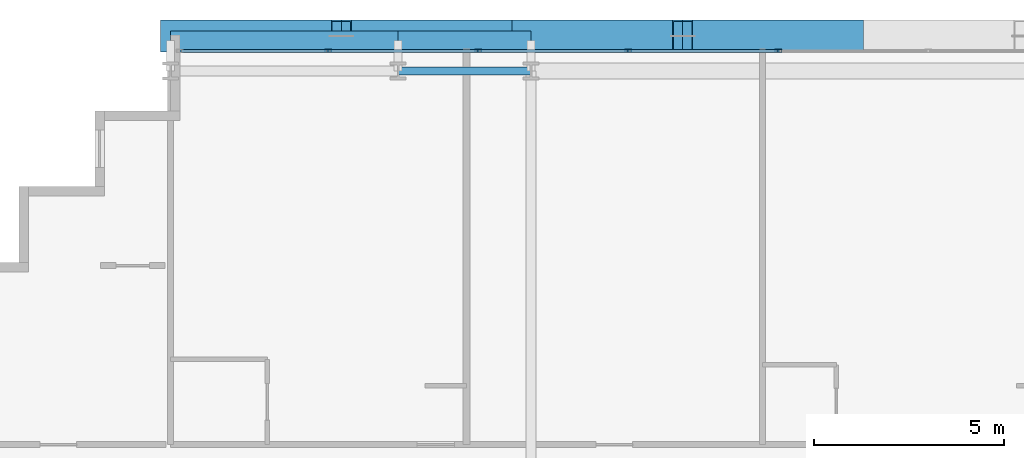
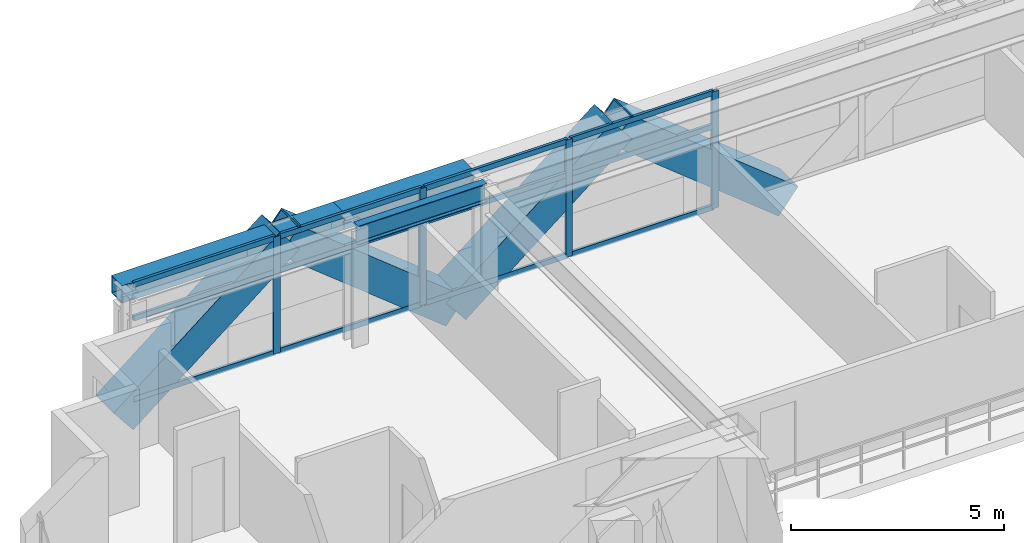
# One storey, part 18 of 35: 20 members, 3 beams, 1 element without a shape of its own.
"""IFC4 building model written with IfcOpenShell, lengths in metres."""

import ifcopenshell
import ifcopenshell.guid

model = None  # the IFC model being written
_history = None  # IfcOwnerHistory: only IFC2X3 demands one
_inside = {}  # id of a spatial element -> (the spatial element, [elements in it])
_under = {}  # id of a project, library or spatial element -> (it, [spatial elements below it])
_declared = {}  # id of a project -> (the project, [libraries it declares])
_typed = {}  # id of a type object -> (the type object, [elements of that type])
_made_of = {}  # id of a material, layer set ... -> (it, [elements and type objects made of it])


def new_model(schema):
    """Start an empty IFC model of exactly this schema.

    Asked for "IFC4X3", IfcOpenShell would pick the latest addendum, in which some entities
    have other attributes; the version numbers below select the first issue.
    IFC2X3 requires an IfcOwnerHistory on every rooted entity: one is made here for all.
    """
    global model, _history
    if schema == "IFC4X3":
        model = ifcopenshell.file(schema_version=(4, 3, 0, 0))
    else:
        model = ifcopenshell.file(schema=schema)
    _inside.clear()
    _under.clear()
    _declared.clear()
    _typed.clear()
    _made_of.clear()
    _history = None
    if model.schema == "IFC2X3":
        org = make("IfcOrganization", Name="unknown")
        user = make(
            "IfcPersonAndOrganization",
            ThePerson=make("IfcPerson", FamilyName="unknown"),
            TheOrganization=org,
        )
        app = make(
            "IfcApplication",
            ApplicationDeveloper=org,
            Version="unknown",
            ApplicationFullName="unknown",
            ApplicationIdentifier="unknown",
        )
        _history = make(
            "IfcOwnerHistory",
            OwningUser=user,
            OwningApplication=app,
            ChangeAction="ADDED",
            CreationDate=0,
        )
    return model


def make(cls, **values):
    """One entity of the class cls with the attributes given. An attribute that is None is left unset."""
    return model.create_entity(
        cls, **{name: value for name, value in values.items() if value is not None}
    )


def rooted(cls, **values):
    """An entity with a GlobalId (a new one), such as an element, a storey or a relation."""
    return make(cls, GlobalId=ifcopenshell.guid.new(), OwnerHistory=_history, **values)


def si_unit(unit_type, name, prefix=None):
    """IfcSIUnit, for example si_unit("LENGTHUNIT", "METRE", prefix="MILLI")."""
    return make("IfcSIUnit", UnitType=unit_type, Prefix=prefix, Name=name)


def assignment(units):
    """IfcUnitAssignment: the units of a project."""
    return None if units is None else make("IfcUnitAssignment", Units=units)


def point(xyz):
    """IfcCartesianPoint."""
    return None if xyz is None else make("IfcCartesianPoint", Coordinates=xyz)


def direction(xyz):
    """IfcDirection."""
    return None if xyz is None else make("IfcDirection", DirectionRatios=xyz)


def frame(location, z_axis=None, x_axis=None):
    """IfcAxis2Placement3D, a coordinate frame: its origin and axes. An axis left out is left unset."""
    return make(
        "IfcAxis2Placement3D",
        Location=point(location),
        Axis=direction(z_axis),
        RefDirection=direction(x_axis),
    )


def frame_2d(location, x_axis=None):
    """IfcAxis2Placement2D, a coordinate frame in the plane: its origin and x axis."""
    return make(
        "IfcAxis2Placement2D", Location=point(location), RefDirection=direction(x_axis)
    )


def origin():
    """The frame at (0, 0, 0) with its axes left unset."""
    return frame((0.0, 0.0, 0.0))


def origin_2d():
    """The frame at (0, 0) in the plane with its x axis left unset."""
    return frame_2d((0.0, 0.0))


def place(relative_to, where):
    """IfcLocalPlacement: puts the frame where relative to a parent placement (None: the world)."""
    return make(
        "IfcLocalPlacement", PlacementRelTo=relative_to, RelativePlacement=where
    )


def context(
    kind, dimensions, precision=None, world=None, true_north=None, identifier=None
):
    """IfcGeometricRepresentationContext, for example the 3D "Model" context."""
    return make(
        "IfcGeometricRepresentationContext",
        ContextIdentifier=identifier,
        ContextType=kind,
        CoordinateSpaceDimension=dimensions,
        Precision=precision,
        WorldCoordinateSystem=world,
        TrueNorth=true_north,
    )


def subcontext(parent, identifier, kind, view, scale=None):
    """IfcGeometricRepresentationSubContext, for example "Body" below "Model"."""
    return make(
        "IfcGeometricRepresentationSubContext",
        ContextIdentifier=identifier,
        ContextType=kind,
        ParentContext=parent,
        TargetScale=scale,
        TargetView=view,
    )


def project(units=None, contexts=None):
    """IfcProject with its units and contexts."""
    return rooted(
        "IfcProject",
        Name="project",
        RepresentationContexts=contexts,
        UnitsInContext=assignment(units),
    )


def spatial(cls, under=None, at=None, **own):
    """A site, building, storey or space (cls), placed at a placement, below another one or the project."""
    s = rooted(cls, ObjectPlacement=at, **own)
    if under is not None:
        _under.setdefault(under.id(), (under, []))[1].append(s)
    return s


def profile(cls, at=None, kind="AREA", **sizes):
    """A parametric profile (cls). Its sizes go by their IFC names, for example OverallWidth=200.0."""
    return make(cls, ProfileType=kind, Position=at, **sizes)


def hollow_rectangle(**sizes):
    """IfcRectangleHollowProfileDef."""
    return profile("IfcRectangleHollowProfileDef", **sizes)


def i_section(**sizes):
    """IfcIShapeProfileDef."""
    return profile("IfcIShapeProfileDef", **sizes)


def extrude(swept, where, along, depth):
    """IfcExtrudedAreaSolid: the profile swept, set in the frame where, extruded along a direction by depth."""
    return make(
        "IfcExtrudedAreaSolid",
        SweptArea=swept,
        Position=where,
        ExtrudedDirection=direction(along),
        Depth=depth,
    )


def shape(context_of_items, identifier, shape_type, items):
    """IfcShapeRepresentation: the items that make up one representation, for example the "Body"."""
    return make(
        "IfcShapeRepresentation",
        ContextOfItems=context_of_items,
        RepresentationIdentifier=identifier,
        RepresentationType=shape_type,
        Items=items,
    )


def source(mapping_origin, context_of_items, identifier, shape_type, items):
    """IfcRepresentationMap: a shape defined once, which mapped items show again and again."""
    return make(
        "IfcRepresentationMap",
        MappingOrigin=mapping_origin,
        MappedRepresentation=shape(context_of_items, identifier, shape_type, items),
    )


def transform(
    local_origin,
    x_axis=None,
    y_axis=None,
    z_axis=None,
    scale=None,
    scale2=None,
    scale3=None,
    uniform=True,
):
    """IfcCartesianTransformationOperator3D, or its non-uniform kind. x_axis, y_axis, z_axis: its Axis1, 2, 3."""
    if uniform:
        return make(
            "IfcCartesianTransformationOperator3D",
            Axis1=direction(x_axis),
            Axis2=direction(y_axis),
            LocalOrigin=point(local_origin),
            Scale=scale,
            Axis3=direction(z_axis),
        )
    return make(
        "IfcCartesianTransformationOperator3DnonUniform",
        Axis1=direction(x_axis),
        Axis2=direction(y_axis),
        LocalOrigin=point(local_origin),
        Scale=scale,
        Axis3=direction(z_axis),
        Scale2=scale2,
        Scale3=scale3,
    )


def mapped(mapping_source, mapping_target):
    """IfcMappedItem: shows the shape of a source again, moved by a transform."""
    return make(
        "IfcMappedItem", MappingSource=mapping_source, MappingTarget=mapping_target
    )


def material(Name=None, Category=None):
    """IfcMaterial."""
    return make("IfcMaterial", Name=Name, Category=Category)


def layer(
    of_material, thickness, ventilated=None, Name=None, Category=None, Priority=None
):
    """IfcMaterialLayer: one layer of a wall or slab, of a material (None: an air gap)."""
    return make(
        "IfcMaterialLayer",
        Material=of_material,
        LayerThickness=thickness,
        IsVentilated=ventilated,
        Name=Name,
        Category=Category,
        Priority=Priority,
    )


def layer_set(layers, Name=None):
    """IfcMaterialLayerSet."""
    return make("IfcMaterialLayerSet", MaterialLayers=layers, LayerSetName=Name)


def material_profile(
    of_material, cross_section, Name=None, Category=None, Priority=None
):
    """IfcMaterialProfile: a cross section and its material."""
    return make(
        "IfcMaterialProfile",
        Name=Name,
        Material=of_material,
        Profile=cross_section,
        Priority=Priority,
        Category=Category,
    )


def profile_set(profiles, Name=None, composite=None):
    """IfcMaterialProfileSet."""
    return make(
        "IfcMaterialProfileSet",
        Name=Name,
        MaterialProfiles=profiles,
        CompositeProfile=composite,
    )


def made_of(thing, what):
    """Note that an element or type object is made of a material, layer set ...; save() writes the relation."""
    if what is not None:
        _made_of.setdefault(what.id(), (what, []))[1].append(thing)
    return thing


def type_object(cls, material=None, **own):
    """A type object (cls), such as IfcWallType, which elements share."""
    return made_of(rooted(cls, **own), material)


def element(
    cls,
    number,
    at=None,
    inside=None,
    cuts=None,
    type_object=None,
    material=None,
    context=None,
    identifier="Body",
    shape_type=None,
    held_by="IfcProductDefinitionShape",
    body=None,
    shapes=None,
    **own,
):
    """One element of the class cls, such as IfcWall. Its Tag is "e" and its number.

    at: its placement. inside: the storey or other place that contains it. cuts: it is an
    opening in that element (IfcRelVoidsElement). A single representation is given by context,
    identifier, shape_type and body (its items); several are given by shapes. held_by: the class
    of the entity that holds the representations. save() writes the other relations.
    """
    e = rooted(cls, Tag="e%d" % number, ObjectPlacement=at, **own)
    if body is not None:
        shapes = [shape(context, identifier, shape_type, body)]
    if shapes is not None:
        e.Representation = make(held_by, Representations=shapes)
    if inside is not None:
        _inside.setdefault(inside.id(), (inside, []))[1].append(e)
    if cuts is not None:
        rooted(
            "IfcRelVoidsElement", RelatingBuildingElement=cuts, RelatedOpeningElement=e
        )
    if type_object is not None:
        _typed.setdefault(type_object.id(), (type_object, []))[1].append(e)
    return made_of(e, material)


def aggregate(whole, parts):
    """IfcRelAggregates: a whole, such as a stair, and the parts it consists of."""
    return rooted("IfcRelAggregates", RelatingObject=whole, RelatedObjects=parts)


def save(model, path):
    """Write the relations noted so far, then the file.

    IfcRelAggregates (storeys below a building ...), IfcRelContainedInSpatialStructure (elements
    in a storey), IfcRelDefinesByType, IfcRelAssociatesMaterial and IfcRelDeclares: one each for
    every whole, place, type object, material and project.
    """
    for whole, parts in _under.values():
        aggregate(whole, parts)
    for where, things in _inside.values():
        rooted(
            "IfcRelContainedInSpatialStructure",
            RelatedElements=things,
            RelatingStructure=where,
        )
    for kind, things in _typed.values():
        rooted("IfcRelDefinesByType", RelatedObjects=things, RelatingType=kind)
    for what, things in _made_of.values():
        rooted("IfcRelAssociatesMaterial", RelatedObjects=things, RelatingMaterial=what)
    for by, libraries in _declared.values():
        rooted("IfcRelDeclares", RelatingContext=by, RelatedDefinitions=libraries)
    model.write(path)


model = new_model("IFC4")

# Units and contexts
model_context = context("Model", 3, precision=1e-05, world=origin(), true_north=direction((0.0, 1.0)))
body_context = subcontext(model_context, "Body", "Model", "MODEL_VIEW")
ifc_project = project(units=[si_unit("LENGTHUNIT", "METRE"), si_unit("AREAUNIT", "SQUARE_METRE"), si_unit("VOLUMEUNIT", "CUBIC_METRE"), si_unit("PLANEANGLEUNIT", "RADIAN"), si_unit("MASSUNIT", "GRAM", prefix="KILO")], contexts=[model_context])

# Site, building, storey
site_placement = place(None, origin())
site = spatial("IfcSite", under=ifc_project, at=site_placement, CompositionType="ELEMENT")
building_placement = place(site_placement, origin())
building = spatial("IfcBuilding", under=site, at=building_placement, Name="Ocotamira Hotel", CompositionType="ELEMENT")
storey_placement = place(building_placement, frame((0.0, 0.0, 56.39990234375)))
storey = spatial("IfcBuildingStorey", under=building, at=storey_placement, Name="L13", CompositionType="ELEMENT", Elevation=56.39990234375)

# Beams
ifc_material_1 = material(Name="Steel ASTM A992 Grade 50", Category="steel")
ifc_material_profile_1 = material_profile(ifc_material_1, i_section(OverallWidth=0.2099609375, OverallDepth=0.537109375, WebThickness=0.010986328125, FlangeThickness=0.017333984375, FilletRadius=0.012939453125, at=origin_2d()), Name="W21X68")
ifc_profile_set_1 = profile_set([ifc_material_profile_1], Name="Steel ASTM A992 Grade 50")
beam_type_1 = type_object("IfcBeamType", Name="BM-SEC-W21X68", PredefinedType="JOIST", material=ifc_profile_set_1)
shared_shape_1 = source(origin(), body_context, "Body", "SweptSolid", [
    extrude(i_section(OverallWidth=0.2099609375, OverallDepth=0.537109375, WebThickness=0.010986328125, FlangeThickness=0.017333984375, FilletRadius=0.012939453125, at=origin_2d()), origin(), (0.0, 0.0, 1.0), 3.5),
])
beam_1_placement = place(storey_placement, frame((20.0, 49.050048828125, 3.08154296875), z_axis=(1.0, 0.0, 0.0), x_axis=(0.0, 1.0, 0.0)))
element("IfcBeam", 1, at=beam_1_placement, inside=storey, type_object=beam_type_1, Name="L13 Girder Y49.05 X20-23.5", PredefinedType="JOIST", context=body_context, shape_type="MappedRepresentation", body=[
    mapped(shared_shape_1, transform((0.0, 0.0, 0.0), scale=1.0)),
])
ifc_material_2 = material(Name="Steel ASTM A500 Grade C", Category="steel")
ifc_material_profile_2 = material_profile(ifc_material_2, hollow_rectangle(XDim=0.5, YDim=0.5, WallThickness=0.02001953125, at=origin_2d()), Name="HSS500X500X20")
ifc_profile_set_2 = profile_set([ifc_material_profile_2], Name="Steel ASTM A500 Grade C")
beam_type_2 = type_object("IfcBeamType", Name="BM-SPAN-HSS500", PredefinedType="USERDEFINED", material=ifc_profile_set_2)
shared_shape_2 = source(origin(), body_context, "Body", "SweptSolid", [
    extrude(hollow_rectangle(XDim=0.5, YDim=0.5, WallThickness=0.02001953125, at=origin_2d()), origin(), (0.0, 0.0, 1.0), 6.0),
])
beam_2_placement = place(storey_placement, frame((14.0, 49.85009765625, 3.10009765625), z_axis=(1.0, 0.0, 0.0), x_axis=(0.0, 1.0, 0.0)))
element("IfcBeam", 2, at=beam_2_placement, inside=storey, type_object=beam_type_2, Name="L13 Edge Spandrel N X14-20", ObjectType="SPANDREL", PredefinedType="USERDEFINED", context=body_context, shape_type="MappedRepresentation", body=[
    mapped(shared_shape_2, transform((0.0, 0.0, 0.0), scale=1.0)),
])
shared_shape_3 = source(origin(), body_context, "Body", "SweptSolid", [
    extrude(hollow_rectangle(XDim=0.5, YDim=0.5, WallThickness=0.02001953125, at=origin_2d()), origin(), (0.0, 0.0, 1.0), 3.5),
])
beam_3_placement = place(storey_placement, frame((20.0, 49.85009765625, 3.10009765625), z_axis=(1.0, 0.0, 0.0), x_axis=(0.0, 1.0, 0.0)))
element("IfcBeam", 3, at=beam_3_placement, inside=storey, type_object=beam_type_2, Name="L13 Edge Spandrel N X20-23.5", ObjectType="SPANDREL", PredefinedType="USERDEFINED", context=body_context, shape_type="MappedRepresentation", body=[
    mapped(shared_shape_3, transform((0.0, 0.0, 0.0), scale=1.0)),
])

# Members
ifc_material_3 = material(Name="Pale-metal coated steel ASTM A913 Grade 65", Category="steel")
ifc_material_profile_3 = material_profile(ifc_material_3, hollow_rectangle(XDim=0.85009765625, YDim=0.85009765625, WallThickness=0.035888671875, at=origin_2d()), Name="BOX850X850X36")
ifc_profile_set_3 = profile_set([ifc_material_profile_3], Name="Pale-metal coated steel ASTM A913 Grade 65")
member_type_1 = type_object("IfcMemberType", Name="MEM-EXO-BOX850", PredefinedType="BRACE", material=ifc_profile_set_3)
shared_shape_4 = source(origin(), body_context, "Body", "SweptSolid", [
    extrude(hollow_rectangle(XDim=0.85009765625, YDim=0.85009765625, WallThickness=0.035888671875, at=origin_2d()), origin(), (0.0, 0.0, 1.0), 5.762939453125),
])
for number, where, z_axis, x_axis, name in (
    (4, (14.0, 49.969970703125, -0.5), (0.780860543151, 0.0, 0.624705380279), (0.0, 1.0, 0.0), "L13 Exoskeleton Diagrid N0.1"),
    (5, (23.0, 49.969970703125, -0.5), (-0.780860543151, 0.0, 0.624705380279), (0.0, -1.0, 0.0), "L13 Exoskeleton Diagrid N0.2"),
    (6, (23.0, 49.969970703125, -0.5), (0.780860543151, 0.0, 0.624705380279), (0.0, 1.0, 0.0), "L13 Exoskeleton Diagrid N1.1"),
    (7, (32.0, 49.969970703125, -0.5), (-0.780860543151, 0.0, 0.624705380279), (0.0, -1.0, 0.0), "L13 Exoskeleton Diagrid N1.2"),
):
    element("IfcMember", number, at=place(storey_placement, frame(where, z_axis=z_axis, x_axis=x_axis)), inside=storey, type_object=member_type_1, Name=name, PredefinedType="BRACE", context=body_context, shape_type="MappedRepresentation", body=[
        mapped(shared_shape_4, transform((0.0, 0.0, 0.0), scale=1.0)),
    ])

# Curtain wall, members
ifc_material_4 = material(Name="Anodised pale-metal aluminium and solar glass", Category="aluminium")
ifc_layer = layer(ifc_material_4, 0.179931640625)
ifc_layer_set = layer_set([ifc_layer], Name="Anodised pale-metal aluminium and solar glass")
curtain_wall_type = type_object("IfcCurtainWallType", Name="CW-SYS2-Z1", PredefinedType="NOTDEFINED", material=ifc_layer_set)
curtain_wall_placement = place(storey_placement, origin())
curtain_wall = element("IfcCurtainWall", 8, at=curtain_wall_placement, inside=storey, type_object=curtain_wall_type, Name="L13 Curtain Wall CW-2 CW-L13-N", PredefinedType="NOTDEFINED")
ifc_material_5 = material(Name="Anodised pale-metal aluminium 6063-T6", Category="aluminium")
ifc_material_profile_4 = material_profile(ifc_material_5, hollow_rectangle(XDim=0.074951171875, YDim=0.14990234375, WallThickness=0.006103515625, at=origin_2d()), Name="HSS150X75X6")
ifc_profile_set_4 = profile_set([ifc_material_profile_4], Name="Anodised pale-metal aluminium 6063-T6")
member_type_2 = type_object("IfcMemberType", Name="CWT-150X75", PredefinedType="USERDEFINED", material=ifc_profile_set_4)
shared_shape_5 = source(origin(), body_context, "Body", "SweptSolid", [
    extrude(hollow_rectangle(XDim=0.074951171875, YDim=0.14990234375, WallThickness=0.006103515625, at=origin_2d()), origin(), (0.0, 0.0, 1.0), 3.83544921875),
])
member_1_placement = place(storey_placement, frame((14.280029296875, 49.580078125, 0.03759765625), z_axis=(1.0, 0.0, 0.0), x_axis=(0.0, 1.0, 0.0)))
member_1 = element("IfcMember", 9, at=member_1_placement, type_object=member_type_2, Name="CW-2 transom 1.1", ObjectType="TRANSOM", PredefinedType="USERDEFINED", context=body_context, shape_type="MappedRepresentation", body=[
    mapped(shared_shape_5, transform((0.0, 0.0, 0.0), scale=1.0)),
])
member_2_placement = place(storey_placement, frame((14.280029296875, 49.580078125, 2.35009765625), z_axis=(1.0, 0.0, 0.0), x_axis=(0.0, 1.0, 0.0)))
member_2 = element("IfcMember", 10, at=member_2_placement, type_object=member_type_2, Name="CW-2 transom 1.2", ObjectType="TRANSOM", PredefinedType="USERDEFINED", context=body_context, shape_type="MappedRepresentation", body=[
    mapped(shared_shape_5, transform((0.0, 0.0, 0.0), scale=1.0)),
])
member_3_placement = place(storey_placement, frame((14.280029296875, 49.580078125, 3.3125), z_axis=(1.0, 0.0, 0.0), x_axis=(0.0, 1.0, 0.0)))
member_3 = element("IfcMember", 11, at=member_3_placement, type_object=member_type_2, Name="CW-2 transom 1.3", ObjectType="TRANSOM", PredefinedType="USERDEFINED", context=body_context, shape_type="MappedRepresentation", body=[
    mapped(shared_shape_5, transform((0.0, 0.0, 0.0), scale=1.0)),
])
shared_shape_6 = source(origin(), body_context, "Body", "SweptSolid", [
    extrude(hollow_rectangle(XDim=0.074951171875, YDim=0.14990234375, WallThickness=0.006103515625, at=origin_2d()), origin(), (0.0, 0.0, 1.0), 3.87548828125),
])
member_4_placement = place(storey_placement, frame((18.195556640625, 49.580078125, 0.03759765625), z_axis=(1.0, 0.0, 0.0), x_axis=(0.0, 1.0, 0.0)))
member_4 = element("IfcMember", 12, at=member_4_placement, type_object=member_type_2, Name="CW-2 transom 2.1", ObjectType="TRANSOM", PredefinedType="USERDEFINED", context=body_context, shape_type="MappedRepresentation", body=[
    mapped(shared_shape_6, transform((0.0, 0.0, 0.0), scale=1.0)),
])
member_5_placement = place(storey_placement, frame((18.195556640625, 49.580078125, 2.35009765625), z_axis=(1.0, 0.0, 0.0), x_axis=(0.0, 1.0, 0.0)))
member_5 = element("IfcMember", 13, at=member_5_placement, type_object=member_type_2, Name="CW-2 transom 2.2", ObjectType="TRANSOM", PredefinedType="USERDEFINED", context=body_context, shape_type="MappedRepresentation", body=[
    mapped(shared_shape_6, transform((0.0, 0.0, 0.0), scale=1.0)),
])
member_6_placement = place(storey_placement, frame((18.195556640625, 49.580078125, 3.3125), z_axis=(1.0, 0.0, 0.0), x_axis=(0.0, 1.0, 0.0)))
member_6 = element("IfcMember", 14, at=member_6_placement, type_object=member_type_2, Name="CW-2 transom 2.3", ObjectType="TRANSOM", PredefinedType="USERDEFINED", context=body_context, shape_type="MappedRepresentation", body=[
    mapped(shared_shape_6, transform((0.0, 0.0, 0.0), scale=1.0)),
])
member_7_placement = place(storey_placement, frame((22.151123046875, 49.580078125, 0.03759765625), z_axis=(1.0, 0.0, 0.0), x_axis=(0.0, 1.0, 0.0)))
member_7 = element("IfcMember", 15, at=member_7_placement, type_object=member_type_2, Name="CW-2 transom 3.1", ObjectType="TRANSOM", PredefinedType="USERDEFINED", context=body_context, shape_type="MappedRepresentation", body=[
    mapped(shared_shape_6, transform((0.0, 0.0, 0.0), scale=1.0)),
])
member_8_placement = place(storey_placement, frame((22.151123046875, 49.580078125, 2.35009765625), z_axis=(1.0, 0.0, 0.0), x_axis=(0.0, 1.0, 0.0)))
member_8 = element("IfcMember", 16, at=member_8_placement, type_object=member_type_2, Name="CW-2 transom 3.2", ObjectType="TRANSOM", PredefinedType="USERDEFINED", context=body_context, shape_type="MappedRepresentation", body=[
    mapped(shared_shape_6, transform((0.0, 0.0, 0.0), scale=1.0)),
])
member_9_placement = place(storey_placement, frame((22.151123046875, 49.580078125, 3.3125), z_axis=(1.0, 0.0, 0.0), x_axis=(0.0, 1.0, 0.0)))
member_9 = element("IfcMember", 17, at=member_9_placement, type_object=member_type_2, Name="CW-2 transom 3.3", ObjectType="TRANSOM", PredefinedType="USERDEFINED", context=body_context, shape_type="MappedRepresentation", body=[
    mapped(shared_shape_6, transform((0.0, 0.0, 0.0), scale=1.0)),
])
member_10_placement = place(storey_placement, frame((26.106689453125, 49.580078125, 0.03759765625), z_axis=(1.0, 0.0, 0.0), x_axis=(0.0, 1.0, 0.0)))
member_10 = element("IfcMember", 18, at=member_10_placement, type_object=member_type_2, Name="CW-2 transom 4.1", ObjectType="TRANSOM", PredefinedType="USERDEFINED", context=body_context, shape_type="MappedRepresentation", body=[
    mapped(shared_shape_6, transform((0.0, 0.0, 0.0), scale=1.0)),
])
member_11_placement = place(storey_placement, frame((26.106689453125, 49.580078125, 2.35009765625), z_axis=(1.0, 0.0, 0.0), x_axis=(0.0, 1.0, 0.0)))
member_11 = element("IfcMember", 19, at=member_11_placement, type_object=member_type_2, Name="CW-2 transom 4.2", ObjectType="TRANSOM", PredefinedType="USERDEFINED", context=body_context, shape_type="MappedRepresentation", body=[
    mapped(shared_shape_6, transform((0.0, 0.0, 0.0), scale=1.0)),
])
member_12_placement = place(storey_placement, frame((26.106689453125, 49.580078125, 3.3125), z_axis=(1.0, 0.0, 0.0), x_axis=(0.0, 1.0, 0.0)))
member_12 = element("IfcMember", 20, at=member_12_placement, type_object=member_type_2, Name="CW-2 transom 4.3", ObjectType="TRANSOM", PredefinedType="USERDEFINED", context=body_context, shape_type="MappedRepresentation", body=[
    mapped(shared_shape_6, transform((0.0, 0.0, 0.0), scale=1.0)),
])
ifc_material_profile_5 = material_profile(ifc_material_5, hollow_rectangle(XDim=0.080078125, YDim=0.179931640625, WallThickness=0.006103515625, at=origin_2d()), Name="HSS180X80X6")
ifc_profile_set_5 = profile_set([ifc_material_profile_5], Name="Anodised pale-metal aluminium 6063-T6")
member_type_3 = type_object("IfcMemberType", Name="CWM-180X75", PredefinedType="MULLION", material=ifc_profile_set_5)
shared_shape_7 = source(origin(), body_context, "Body", "SweptSolid", [
    extrude(hollow_rectangle(XDim=0.080078125, YDim=0.179931640625, WallThickness=0.006103515625, at=origin_2d()), origin(), (0.0, 0.0, 1.0), 3.35009765625),
])
member_13_placement = place(storey_placement, frame((18.155517578125, 49.580078125, 0.0), z_axis=(0.0, 0.0, 1.0), x_axis=(0.0, 1.0, 0.0)))
member_13 = element("IfcMember", 21, at=member_13_placement, type_object=member_type_3, Name="CW-2 mullion 2", PredefinedType="MULLION", context=body_context, shape_type="MappedRepresentation", body=[
    mapped(shared_shape_7, transform((0.0, 0.0, 0.0), scale=1.0)),
])
member_14_placement = place(storey_placement, frame((22.111083984375, 49.580078125, 0.0), z_axis=(0.0, 0.0, 1.0), x_axis=(0.0, 1.0, 0.0)))
member_14 = element("IfcMember", 22, at=member_14_placement, type_object=member_type_3, Name="CW-2 mullion 3", PredefinedType="MULLION", context=body_context, shape_type="MappedRepresentation", body=[
    mapped(shared_shape_7, transform((0.0, 0.0, 0.0), scale=1.0)),
])
member_15_placement = place(storey_placement, frame((26.066650390625, 49.580078125, 0.0), z_axis=(0.0, 0.0, 1.0), x_axis=(0.0, 1.0, 0.0)))
member_15 = element("IfcMember", 23, at=member_15_placement, type_object=member_type_3, Name="CW-2 mullion 4", PredefinedType="MULLION", context=body_context, shape_type="MappedRepresentation", body=[
    mapped(shared_shape_7, transform((0.0, 0.0, 0.0), scale=1.0)),
])
member_16_placement = place(storey_placement, frame((30.022216796875, 49.580078125, 0.0), z_axis=(0.0, 0.0, 1.0), x_axis=(0.0, 1.0, 0.0)))
member_16 = element("IfcMember", 24, at=member_16_placement, type_object=member_type_3, Name="CW-2 mullion 5", PredefinedType="MULLION", context=body_context, shape_type="MappedRepresentation", body=[
    mapped(shared_shape_7, transform((0.0, 0.0, 0.0), scale=1.0)),
])
aggregate(curtain_wall, [member_13, member_14, member_15, member_16, member_1, member_2, member_3, member_4, member_5, member_6, member_7, member_8, member_9, member_10, member_11, member_12])

save(model, "model.ifc")
